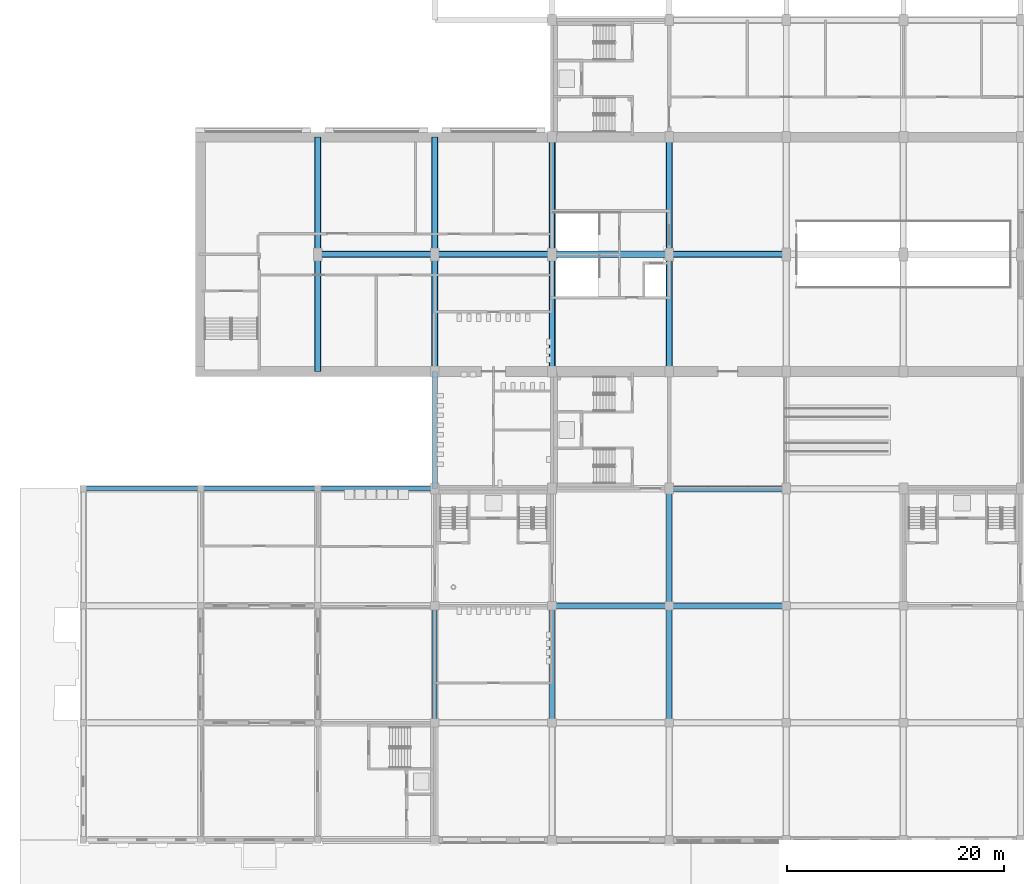
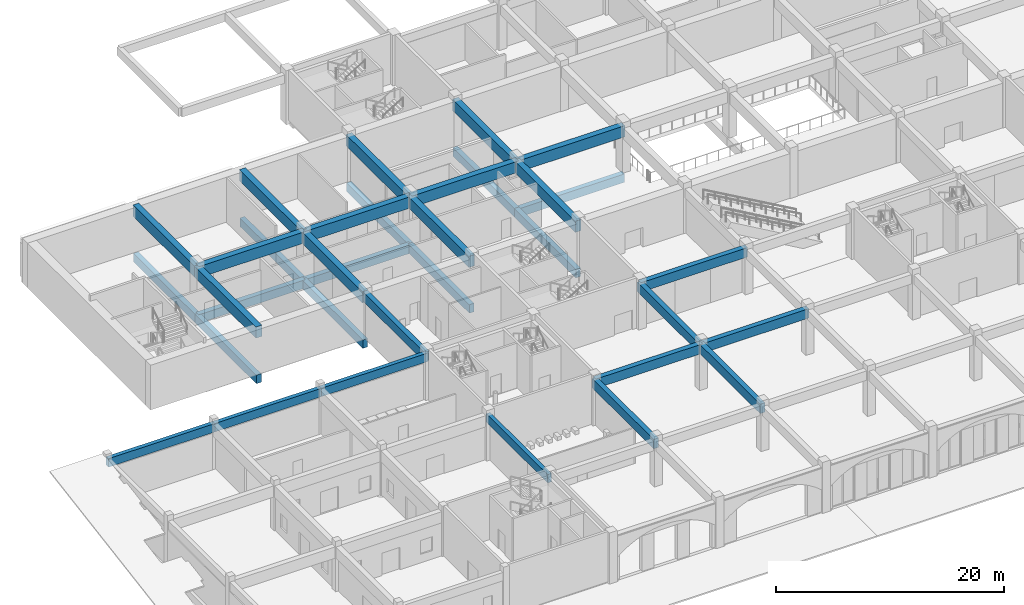
# One storey, part 12 of 101: 34 beams.
"""IFC4 building model written with IfcOpenShell, lengths in metres."""

from ifc_helpers import new_model, si_unit, direction, frame, origin, origin_2d, place, context, subcontext, project, spatial, rectangle, extrude, material, material_profile, profile_set, type_object, element, save


model = new_model("IFC4")

# Units and contexts
model_context = context("Model", 3, precision=1e-05, world=origin(), true_north=direction((0.0, 1.0)))
body_context = subcontext(model_context, "Body", "Model", "MODEL_VIEW")
ifc_project = project(units=[si_unit("LENGTHUNIT", "METRE"), si_unit("AREAUNIT", "SQUARE_METRE"), si_unit("VOLUMEUNIT", "CUBIC_METRE"), si_unit("PLANEANGLEUNIT", "RADIAN"), si_unit("MASSUNIT", "GRAM", prefix="KILO")], contexts=[model_context])

# Site, building, storey
site_placement = place(None, origin())
site = spatial("IfcSite", under=ifc_project, at=site_placement, CompositionType="ELEMENT")
building_placement = place(site_placement, origin())
building = spatial("IfcBuilding", under=site, at=building_placement, Name="Magnolia Steps Interchange", CompositionType="ELEMENT")
storey_placement = place(building_placement, frame((0.0, 0.0, -5.39990234375)))
storey = spatial("IfcBuildingStorey", under=building, at=storey_placement, Name="B1", CompositionType="ELEMENT", Elevation=-5.39990234375)

# Beams
ifc_material_1 = material(Name="Concrete C40", Category="concrete")
ifc_material_profile_1 = material_profile(ifc_material_1, rectangle(XDim=0.39990234375, YDim=0.89990234375, at=origin_2d()), Name="RC400x900")
ifc_profile_set_1 = profile_set([ifc_material_profile_1], Name="Concrete C40")
beam_type_1 = type_object("IfcBeamType", Name="RC beam 400x900", PredefinedType="BEAM", material=ifc_profile_set_1)
for number, where, z_axis, x_axis, name in (
    (1, (10.0, 42.39990234375, 4.349853515625), (1.0, 0.0, 0.0), (0.0, 1.0, 0.0), "Beam L00 D 1-2"),
    (2, (20.800048828125, 42.39990234375, 4.349853515625), (1.0, 0.0, 0.0), (0.0, 1.0, 0.0), "Beam L00 D 2-3"),
):
    element("IfcBeam", number, at=place(storey_placement, frame(where, z_axis=z_axis, x_axis=x_axis)), inside=storey, type_object=beam_type_1, Name=name, PredefinedType="BEAM", context=body_context, shape_type="SweptSolid", body=[
        extrude(rectangle(XDim=0.39990234375, YDim=0.89990234375, at=origin_2d()), origin(), (0.0, 0.0, 1.0), 10.800048828125),
    ])
beam_1_placement = place(storey_placement, frame((31.60009765625, 42.39990234375, 4.349853515625), z_axis=(1.0, 0.0, 0.0), x_axis=(0.0, 1.0, 0.0)))
element("IfcBeam", 3, at=beam_1_placement, inside=storey, type_object=beam_type_1, Name="Beam L00 D 3-4", PredefinedType="BEAM", context=body_context, shape_type="SweptSolid", body=[
    extrude(rectangle(XDim=0.39990234375, YDim=0.89990234375, at=origin_2d()), origin(), (0.0, 0.0, 1.0), 10.7998046875),
])
beam_2_placement = place(storey_placement, frame((42.39990234375, 20.800048828125, 4.349853515625), z_axis=(0.0, 1.0, 0.0), x_axis=(-1.0, 0.0, 0.0)))
element("IfcBeam", 4, at=beam_2_placement, inside=storey, type_object=beam_type_1, Name="Beam L00 4 B-C", PredefinedType="BEAM", context=body_context, shape_type="SweptSolid", body=[
    extrude(rectangle(XDim=0.39990234375, YDim=0.89990234375, at=origin_2d()), origin(), (0.0, 0.0, 1.0), 10.800048828125),
])
ifc_material_2 = material(Name="Concrete C40", Category="concrete")
ifc_material_profile_2 = material_profile(ifc_material_2, rectangle(XDim=0.5, YDim=1.0, at=origin_2d()), Name="RC500x1000")
ifc_profile_set_2 = profile_set([ifc_material_profile_2], Name="Concrete C40")
beam_type_2 = type_object("IfcBeamType", Name="RC beam 500x1000", PredefinedType="BEAM", material=ifc_profile_set_2)
for number, where, z_axis, x_axis, name in (
    (5, (53.199951171875, 31.60009765625, 4.2998046875), (1.0, 0.0, 0.0), (0.0, 1.0, 0.0), "Beam L00 C 5-6"),
    (6, (64.0, 31.60009765625, 4.2998046875), (1.0, 0.0, 0.0), (0.0, 1.0, 0.0), "Beam L00 C 6-7"),
    (7, (64.0, 42.39990234375, 4.2998046875), (1.0, 0.0, 0.0), (0.0, 1.0, 0.0), "Beam L00 D 6-7"),
    (8, (42.39990234375, 42.39990234375, 4.2998046875), (0.0, 1.0, 0.0), (-1.0, 0.0, 0.0), "Beam L00 4 D-E"),
    (9, (53.199951171875, 20.800048828125, 4.2998046875), (0.0, 1.0, 0.0), (-1.0, 0.0, 0.0), "Beam L00 5 B-C"),
    (10, (64.0, 20.800048828125, 4.2998046875), (0.0, 1.0, 0.0), (-1.0, 0.0, 0.0), "Beam L00 6 B-C"),
):
    element("IfcBeam", number, at=place(storey_placement, frame(where, z_axis=z_axis, x_axis=x_axis)), inside=storey, type_object=beam_type_2, Name=name, PredefinedType="BEAM", context=body_context, shape_type="SweptSolid", body=[
        extrude(rectangle(XDim=0.5, YDim=1.0, at=origin_2d()), origin(), (0.0, 0.0, 1.0), 10.800048828125),
    ])
beam_3_placement = place(storey_placement, frame((64.0, 31.60009765625, 4.2998046875), z_axis=(0.0, 1.0, 0.0), x_axis=(-1.0, 0.0, 0.0)))
element("IfcBeam", 11, at=beam_3_placement, inside=storey, type_object=beam_type_2, Name="Beam L00 6 C-D", PredefinedType="BEAM", context=body_context, shape_type="SweptSolid", body=[
    extrude(rectangle(XDim=0.5, YDim=1.0, at=origin_2d()), origin(), (0.0, 0.0, 1.0), 10.7998046875),
])
ifc_material_3 = material(Name="Concrete C40", Category="concrete")
ifc_material_profile_3 = material_profile(ifc_material_3, rectangle(XDim=0.5, YDim=0.89990234375, at=origin_2d()), Name="RC500x900")
ifc_profile_set_3 = profile_set([ifc_material_profile_3], Name="Concrete C40")
beam_type_3 = type_object("IfcBeamType", Name="RC beam 500x900", PredefinedType="BEAM", material=ifc_profile_set_3)
beam_4_placement = place(storey_placement, frame((31.60009765625, 64.0, -0.85009765625), z_axis=(1.0, 0.0, 0.0), x_axis=(0.0, 1.0, 0.0)))
element("IfcBeam", 12, at=beam_4_placement, inside=storey, type_object=beam_type_3, Name="Beam B1 F 3-4", PredefinedType="BEAM", context=body_context, shape_type="SweptSolid", body=[
    extrude(rectangle(XDim=0.5, YDim=0.89990234375, at=origin_2d()), origin(), (0.0, 0.0, 1.0), 10.7998046875),
])
for number, where, z_axis, x_axis, name in (
    (13, (42.39990234375, 64.0, -0.85009765625), (1.0, 0.0, 0.0), (0.0, 1.0, 0.0), "Beam B1 F 4-5"),
    (14, (64.0, 64.0, -0.85009765625), (1.0, 0.0, 0.0), (0.0, 1.0, 0.0), "Beam B1 F 6-7"),
    (15, (31.60009765625, 53.199951171875, -0.85009765625), (0.0, 1.0, 0.0), (-1.0, 0.0, 0.0), "Beam B1 3 E-F"),
    (16, (31.60009765625, 64.0, -0.85009765625), (0.0, 1.0, 0.0), (-1.0, 0.0, 0.0), "Beam B1 3 F-G"),
    (17, (42.39990234375, 53.199951171875, -0.85009765625), (0.0, 1.0, 0.0), (-1.0, 0.0, 0.0), "Beam B1 4 E-F"),
    (18, (42.39990234375, 64.0, -0.85009765625), (0.0, 1.0, 0.0), (-1.0, 0.0, 0.0), "Beam B1 4 F-G"),
    (19, (53.199951171875, 53.199951171875, -0.85009765625), (0.0, 1.0, 0.0), (-1.0, 0.0, 0.0), "Beam B1 5 E-F"),
    (20, (53.199951171875, 64.0, -0.85009765625), (0.0, 1.0, 0.0), (-1.0, 0.0, 0.0), "Beam B1 5 F-G"),
    (21, (64.0, 53.199951171875, -0.85009765625), (0.0, 1.0, 0.0), (-1.0, 0.0, 0.0), "Beam B1 6 E-F"),
    (22, (64.0, 64.0, -0.85009765625), (0.0, 1.0, 0.0), (-1.0, 0.0, 0.0), "Beam B1 6 F-G"),
):
    element("IfcBeam", number, at=place(storey_placement, frame(where, z_axis=z_axis, x_axis=x_axis)), inside=storey, type_object=beam_type_3, Name=name, PredefinedType="BEAM", context=body_context, shape_type="SweptSolid", body=[
        extrude(rectangle(XDim=0.5, YDim=0.89990234375, at=origin_2d()), origin(), (0.0, 0.0, 1.0), 10.800048828125),
    ])
ifc_material_4 = material(Name="Concrete C40", Category="concrete")
ifc_material_profile_4 = material_profile(ifc_material_4, rectangle(XDim=0.60009765625, YDim=1.199951171875, at=origin_2d()), Name="RC600x1200")
ifc_profile_set_4 = profile_set([ifc_material_profile_4], Name="Concrete C40")
beam_type_4 = type_object("IfcBeamType", Name="RC beam 600x1200", PredefinedType="BEAM", material=ifc_profile_set_4)
beam_5_placement = place(storey_placement, frame((31.60009765625, 64.0, 4.199951171875), z_axis=(1.0, 0.0, 0.0), x_axis=(0.0, 1.0, 0.0)))
element("IfcBeam", 23, at=beam_5_placement, inside=storey, type_object=beam_type_4, Name="Beam L00 F 3-4", PredefinedType="BEAM", context=body_context, shape_type="SweptSolid", body=[
    extrude(rectangle(XDim=0.60009765625, YDim=1.199951171875, at=origin_2d()), origin(), (0.0, 0.0, 1.0), 10.7998046875),
])
for number, where, z_axis, x_axis, name in (
    (24, (42.39990234375, 64.0, 4.199951171875), (1.0, 0.0, 0.0), (0.0, 1.0, 0.0), "Beam L00 F 4-5"),
    (25, (53.199951171875, 64.0, 4.199951171875), (1.0, 0.0, 0.0), (0.0, 1.0, 0.0), "Beam L00 F 5-6"),
    (26, (64.0, 64.0, 4.199951171875), (1.0, 0.0, 0.0), (0.0, 1.0, 0.0), "Beam L00 F 6-7"),
    (27, (31.60009765625, 53.199951171875, 4.199951171875), (0.0, 1.0, 0.0), (-1.0, 0.0, 0.0), "Beam L00 3 E-F"),
    (28, (31.60009765625, 64.0, 4.199951171875), (0.0, 1.0, 0.0), (-1.0, 0.0, 0.0), "Beam L00 3 F-G"),
    (29, (42.39990234375, 53.199951171875, 4.199951171875), (0.0, 1.0, 0.0), (-1.0, 0.0, 0.0), "Beam L00 4 E-F"),
    (30, (42.39990234375, 64.0, 4.199951171875), (0.0, 1.0, 0.0), (-1.0, 0.0, 0.0), "Beam L00 4 F-G"),
    (31, (53.199951171875, 53.199951171875, 4.199951171875), (0.0, 1.0, 0.0), (-1.0, 0.0, 0.0), "Beam L00 5 E-F"),
    (32, (53.199951171875, 64.0, 4.199951171875), (0.0, 1.0, 0.0), (-1.0, 0.0, 0.0), "Beam L00 5 F-G"),
    (33, (64.0, 53.199951171875, 4.199951171875), (0.0, 1.0, 0.0), (-1.0, 0.0, 0.0), "Beam L00 6 E-F"),
    (34, (64.0, 64.0, 4.199951171875), (0.0, 1.0, 0.0), (-1.0, 0.0, 0.0), "Beam L00 6 F-G"),
):
    element("IfcBeam", number, at=place(storey_placement, frame(where, z_axis=z_axis, x_axis=x_axis)), inside=storey, type_object=beam_type_4, Name=name, PredefinedType="BEAM", context=body_context, shape_type="SweptSolid", body=[
        extrude(rectangle(XDim=0.60009765625, YDim=1.199951171875, at=origin_2d()), origin(), (0.0, 0.0, 1.0), 10.800048828125),
    ])

save(model, "model.ifc")
